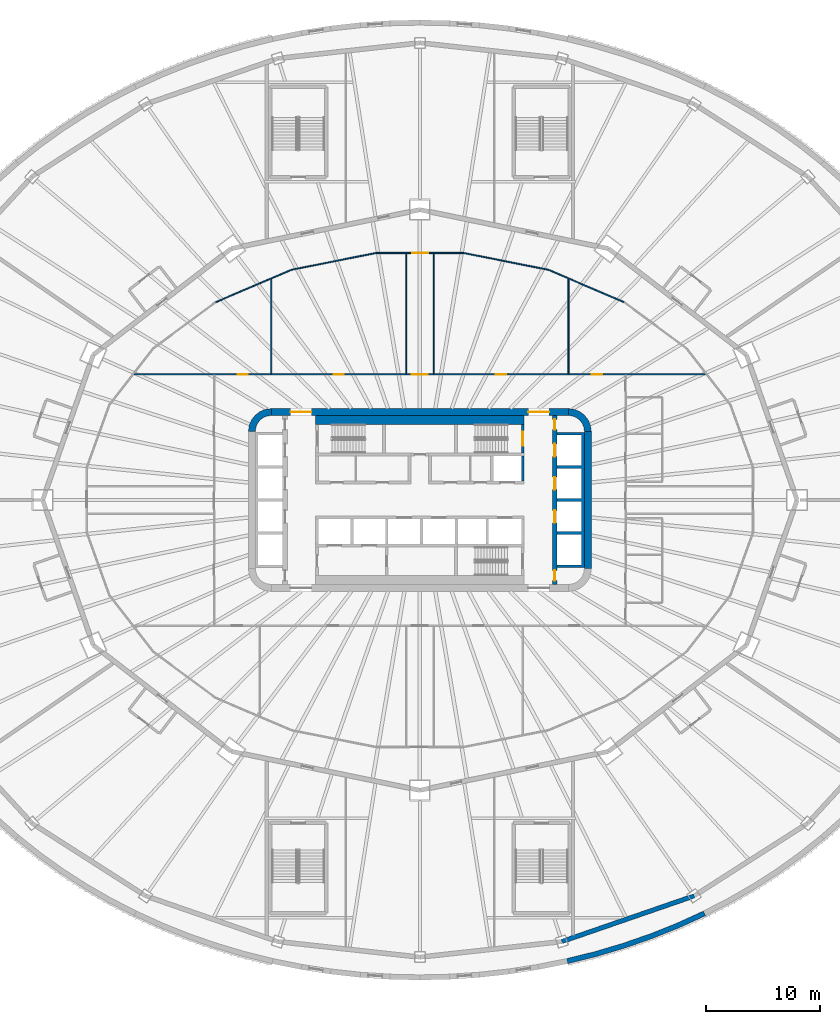
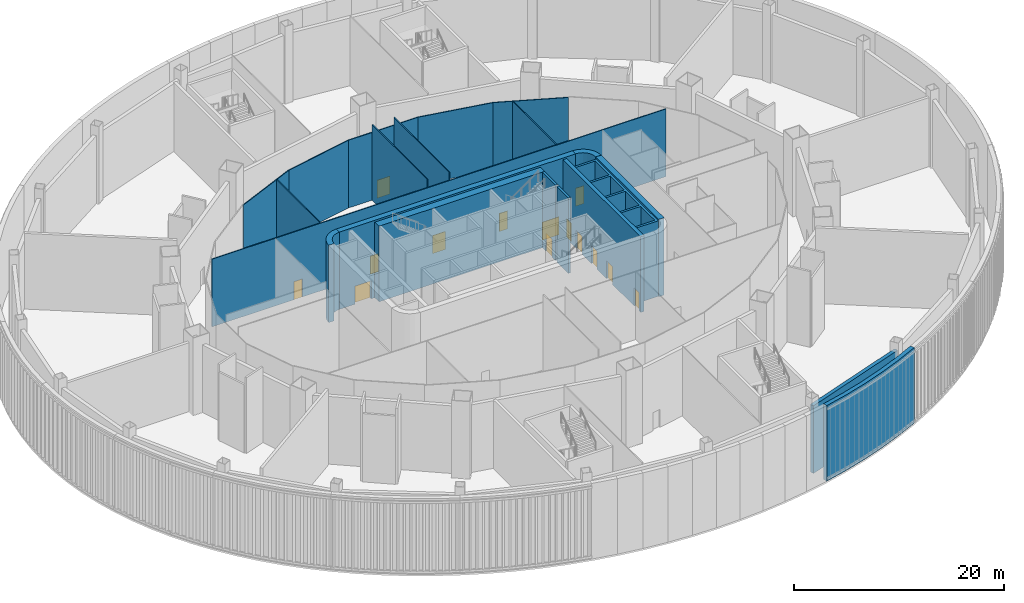
# One storey, part 10 of 35: 21 walls, 14 doors, 14 openings.
"""IFC4 building model written with IfcOpenShell, lengths in metres."""

from ifc_helpers import new_model, si_unit, direction, frame, frame_2d, origin, place, context, subcontext, project, spatial, polyline, rectangle, outline, extrude, material, layer, layer_set, type_object, element, fill, save


model = new_model("IFC4")

# Units and contexts
model_context = context("Model", 3, precision=1e-05, world=origin(), true_north=direction((0.0, 1.0)))
body_context = subcontext(model_context, "Body", "Model", "MODEL_VIEW")
ifc_project = project(units=[si_unit("LENGTHUNIT", "METRE"), si_unit("AREAUNIT", "SQUARE_METRE"), si_unit("VOLUMEUNIT", "CUBIC_METRE"), si_unit("PLANEANGLEUNIT", "RADIAN"), si_unit("MASSUNIT", "GRAM", prefix="KILO")], contexts=[model_context])

# Site, building, storey
site_placement = place(None, origin())
site = spatial("IfcSite", under=ifc_project, at=site_placement, CompositionType="ELEMENT")
building_placement = place(site_placement, origin())
building = spatial("IfcBuilding", under=site, at=building_placement, Name="Sahrelin Media Tower", CompositionType="ELEMENT")
storey_placement = place(building_placement, frame((0.0, 0.0, 8.0)))
storey = spatial("IfcBuildingStorey", under=building, at=storey_placement, Name="L01", CompositionType="ELEMENT", Elevation=8.0)

# Wall, openings, doors
ifc_material_1 = material(Name="Concrete C60/75", Category="concrete")
ifc_layer_1 = layer(ifc_material_1, 0.60009765625)
ifc_layer_set_1 = layer_set([ifc_layer_1], Name="Core wall 600")
wall_type_1 = type_object("IfcWallType", Name="Core wall 600", PredefinedType="SHEAR", material=ifc_layer_set_1)
wall_1_placement = place(storey_placement, frame((-13.0, 7.699951171875, 0.0), z_axis=(0.0, 0.0, 1.0), x_axis=(1.0, 0.0, 0.0)))
wall_1 = element("IfcWall", 1, at=wall_1_placement, inside=storey, type_object=wall_type_1, Name="Core wall N L01", PredefinedType="SHEAR", context=body_context, shape_type="SweptSolid", body=[
    extrude(rectangle(XDim=26.0, YDim=0.60009765625, at=frame_2d((13.0, 0.0))), origin(), (0.0, 0.0, 1.0), 9.0),
])
opening_1_placement = place(wall_1_placement, frame((1.699951171875, 0.0, 0.0)))
opening_1 = element("IfcOpeningElement", 2, at=opening_1_placement, cuts=wall_1, Name="Opening L01-D15", PredefinedType="OPENING", context=body_context, shape_type="SweptSolid", body=[
    extrude(rectangle(XDim=1.800048828125, YDim=2.10009765625, at=frame_2d((0.89990234375, 1.050048828125))), frame((0.0, 0.300048828125, 0.0), z_axis=(0.0, -1.0, 0.0), x_axis=(1.0, 0.0, 0.0)), (0.0, 0.0, 1.0), 0.60009765625),
])
opening_2_placement = place(wall_1_placement, frame((22.5, 0.0, 0.0)))
opening_2 = element("IfcOpeningElement", 3, at=opening_2_placement, cuts=wall_1, Name="Opening L01-D16", PredefinedType="OPENING", context=body_context, shape_type="SweptSolid", body=[
    extrude(rectangle(XDim=1.800048828125, YDim=2.10009765625, at=frame_2d((0.89990234375, 1.050048828125))), frame((0.0, 0.300048828125, 0.0), z_axis=(0.0, -1.0, 0.0), x_axis=(1.0, 0.0, 0.0)), (0.0, 0.0, 1.0), 0.60009765625),
])
ifc_material_2 = material(Name="Steel fire door leaf", Category="steel")
door_type_1 = type_object("IfcDoorType", Name="Lobby double door 1800 x 2100 EI 60", OperationType="DOUBLE_DOOR_SINGLE_SWING", PredefinedType="DOOR", material=ifc_material_2)
door_1_placement = place(opening_1_placement, origin())
door_1 = element("IfcDoor", 4, at=door_1_placement, inside=storey, type_object=door_type_1, Name="Lobby door", OperationType="DOUBLE_DOOR_SINGLE_SWING", OverallHeight=2.10009765625, OverallWidth=1.800048828125, PredefinedType="DOOR", context=body_context, shape_type="SweptSolid", body=[
    extrude(rectangle(XDim=1.800048828125, YDim=2.10009765625, at=frame_2d((0.89990234375, 1.050048828125))), frame((0.0, 0.02490234375, 0.0), z_axis=(0.0, -1.0, 0.0), x_axis=(1.0, 0.0, 0.0)), (0.0, 0.0, 1.0), 0.050048828125),
])
fill(opening_1, door_1)
door_2_placement = place(opening_2_placement, origin())
door_2 = element("IfcDoor", 5, at=door_2_placement, inside=storey, type_object=door_type_1, Name="Lobby door", OperationType="DOUBLE_DOOR_SINGLE_SWING", OverallHeight=2.10009765625, OverallWidth=1.800048828125, PredefinedType="DOOR", context=body_context, shape_type="SweptSolid", body=[
    extrude(rectangle(XDim=1.800048828125, YDim=2.10009765625, at=frame_2d((0.89990234375, 1.050048828125))), frame((0.0, 0.02490234375, 0.0), z_axis=(0.0, -1.0, 0.0), x_axis=(1.0, 0.0, 0.0)), (0.0, 0.0, 1.0), 0.050048828125),
])
fill(opening_2, door_2)

# Walls
wall_2_placement = place(storey_placement, frame((14.699951171875, -6.0, 0.0), z_axis=(0.0, 0.0, 1.0), x_axis=(0.0, 1.0, 0.0)))
element("IfcWall", 6, at=wall_2_placement, inside=storey, type_object=wall_type_1, Name="Core wall E L01", PredefinedType="SHEAR", context=body_context, shape_type="SweptSolid", body=[
    extrude(rectangle(XDim=12.0, YDim=0.60009765625, at=frame_2d((6.0, 0.0))), origin(), (0.0, 0.0, 1.0), 9.0),
])
placement = place(storey_placement, origin())
element("IfcWall", 7, at=placement, inside=storey, type_object=wall_type_1, Name="Core wall corner NE L01", PredefinedType="SHEAR", context=body_context, shape_type="SweptSolid", body=[
    extrude(outline(polyline([(13.0, 8.0), (13.0, 7.394775390625), (13.361083984375, 7.347412109375), (13.697509765625, 7.2080078125), (13.986328125, 6.986328125), (14.2080078125, 6.697509765625), (14.347412109375, 6.361083984375), (14.394775390625, 6.0), (15.0, 6.0), (14.931884765625, 6.517578125), (14.732177734375, 7.0), (14.414306640625, 7.414306640625), (14.0, 7.732177734375), (13.517578125, 7.931884765625), (13.0, 8.0)])), origin(), (0.0, 0.0, 1.0), 9.0),
])
element("IfcWall", 8, at=placement, inside=storey, type_object=wall_type_1, Name="Core wall corner NW L01", PredefinedType="SHEAR", context=body_context, shape_type="SweptSolid", body=[
    extrude(outline(polyline([(-15.0, 6.0), (-14.394775390625, 6.0), (-14.347412109375, 6.361083984375), (-14.2080078125, 6.697509765625), (-13.986328125, 6.986328125), (-13.697509765625, 7.2080078125), (-13.361083984375, 7.347412109375), (-13.0, 7.394775390625), (-13.0, 8.0), (-13.517578125, 7.931884765625), (-14.0, 7.732177734375), (-14.414306640625, 7.414306640625), (-14.732177734375, 7.0), (-14.931884765625, 6.517578125), (-15.0, 6.0)])), origin(), (0.0, 0.0, 1.0), 9.0),
])
ifc_material_3 = material(Name="Fire-rated gypsum board partition")
ifc_layer_2 = layer(ifc_material_3, 0.25)
ifc_layer_set_2 = layer_set([ifc_layer_2], Name="Fire-rated lobby wall 250")
wall_type_2 = type_object("IfcWallType", Name="Fire-rated lobby wall 250", PredefinedType="PARTITIONING", material=ifc_layer_set_2)
wall_5_placement = place(storey_placement, frame((9.0, 1.64990234375, 0.0), z_axis=(0.0, 0.0, 1.0), x_axis=(0.0, 1.0, 0.0)))
element("IfcWall", 9, at=wall_5_placement, inside=storey, type_object=wall_type_2, Name="Core lobby wall", PredefinedType="PARTITIONING", context=body_context, shape_type="SweptSolid", body=[
    extrude(rectangle(XDim=2.2001953125, YDim=0.25, at=frame_2d((1.10009765625, 0.0))), origin(), (0.0, 0.0, 1.0), 8.800048828125),
])
ifc_layer_3 = layer(ifc_material_3, 0.39990234375)
ifc_layer_set_3 = layer_set([ifc_layer_3], Name="Fire-rated partition 400")
wall_type_3 = type_object("IfcWallType", Name="Fire-rated partition 400", PredefinedType="PARTITIONING", material=ifc_layer_set_3)
wall_6_placement = place(storey_placement, frame((12.42333984375, -38.636962890625, 0.0), z_axis=(0.0, 0.0, 1.0), x_axis=(0.94527485301, 0.326275117449, 0.0)))
element("IfcWall", 10, at=wall_6_placement, inside=storey, type_object=wall_type_3, Name="Wall", PredefinedType="PARTITIONING", context=body_context, shape_type="SweptSolid", body=[
    extrude(rectangle(XDim=12.246826171875, YDim=0.39990234375, at=frame_2d((6.12353515625, 0.0))), origin(), (0.0, 0.0, 1.0), 7.876953125),
])
ifc_layer_4 = layer(ifc_material_1, 0.25)
ifc_layer_set_4 = layer_set([ifc_layer_4], Name="Lift shaft wall 250")
wall_type_4 = type_object("IfcWallType", Name="Lift shaft wall 250", PredefinedType="SOLIDWALL", material=ifc_layer_set_4)
element("IfcWall", 11, at=placement, inside=storey, type_object=wall_type_4, Name="Lift shaft wall", PredefinedType="SOLIDWALL", context=body_context, shape_type="SweptSolid", body=[
    extrude(outline(polyline([(12.0, -5.675048828125), (12.0, -5.925048828125), (14.14990234375, -5.925048828125), (14.39990234375, -5.925048828125), (14.39990234375, -5.675048828125), (14.39990234375, -3.02490234375), (14.39990234375, -2.77490234375), (14.39990234375, -0.125), (14.39990234375, 0.125), (14.39990234375, 2.77490234375), (14.39990234375, 3.02490234375), (14.39990234375, 5.675048828125), (14.39990234375, 5.925048828125), (14.14990234375, 5.925048828125), (12.0, 5.925048828125), (12.0, 5.675048828125), (14.14990234375, 5.675048828125), (14.14990234375, 3.02490234375), (12.0, 3.02490234375), (12.0, 2.77490234375), (14.14990234375, 2.77490234375), (14.14990234375, 0.125), (12.0, 0.125), (12.0, -0.125), (14.14990234375, -0.125), (14.14990234375, -2.77490234375), (12.0, -2.77490234375), (12.0, -3.02490234375), (14.14990234375, -3.02490234375), (14.14990234375, -5.675048828125), (12.0, -5.675048828125)])), origin(), (0.0, 0.0, 1.0), 8.800048828125),
])

# Wall, openings, doors
ifc_layer_5 = layer(ifc_material_1, 0.39990234375)
ifc_layer_set_5 = layer_set([ifc_layer_5], Name="Lift shaft wall 400")
wall_type_5 = type_object("IfcWallType", Name="Lift shaft wall 400", PredefinedType="SOLIDWALL", material=ifc_layer_set_5)
wall_8_placement = place(storey_placement, frame((11.800048828125, -7.39990234375, 0.0), z_axis=(0.0, 0.0, 1.0), x_axis=(0.0, 1.0, 0.0)))
wall_8 = element("IfcWall", 12, at=wall_8_placement, inside=storey, type_object=wall_type_5, Name="Lift shaft wall", PredefinedType="SOLIDWALL", context=body_context, shape_type="SweptSolid", body=[
    extrude(rectangle(XDim=14.7998046875, YDim=0.39990234375, at=frame_2d((7.39990234375, 0.0))), origin(), (0.0, 0.0, 1.0), 8.800048828125),
])
opening_3_placement = place(wall_8_placement, frame((11.199951171875, 0.0, 0.0)))
opening_3 = element("IfcOpeningElement", 13, at=opening_3_placement, cuts=wall_8, Name="Opening L01-LD-LR4", PredefinedType="OPENING", context=body_context, shape_type="SweptSolid", body=[
    extrude(rectangle(XDim=1.10009765625, YDim=2.10009765625, at=frame_2d((0.550048828125, 1.050048828125))), frame((0.0, 0.199951171875, 0.0), z_axis=(0.0, -1.0, 0.0), x_axis=(1.0, 0.0, 0.0)), (0.0, 0.0, 1.0), 0.39990234375),
])
opening_4_placement = place(wall_8_placement, frame((8.300048828125, 0.0, 0.0)))
opening_4 = element("IfcOpeningElement", 14, at=opening_4_placement, cuts=wall_8, Name="Opening L01-LD-LR5", PredefinedType="OPENING", context=body_context, shape_type="SweptSolid", body=[
    extrude(rectangle(XDim=1.10009765625, YDim=2.10009765625, at=frame_2d((0.550048828125, 1.050048828125))), frame((0.0, 0.199951171875, 0.0), z_axis=(0.0, -1.0, 0.0), x_axis=(1.0, 0.0, 0.0)), (0.0, 0.0, 1.0), 0.39990234375),
])
opening_5_placement = place(wall_8_placement, frame((5.39990234375, 0.0, 0.0)))
opening_5 = element("IfcOpeningElement", 15, at=opening_5_placement, cuts=wall_8, Name="Opening L01-LD-LR6", PredefinedType="OPENING", context=body_context, shape_type="SweptSolid", body=[
    extrude(rectangle(XDim=1.10009765625, YDim=2.10009765625, at=frame_2d((0.550048828125, 1.050048828125))), frame((0.0, 0.199951171875, 0.0), z_axis=(0.0, -1.0, 0.0), x_axis=(1.0, 0.0, 0.0)), (0.0, 0.0, 1.0), 0.39990234375),
])
opening_6_placement = place(wall_8_placement, frame((13.552490234375, 0.0, 0.0)))
opening_6 = element("IfcOpeningElement", 16, at=opening_6_placement, cuts=wall_8, Name="Opening L01-D13", PredefinedType="OPENING", context=body_context, shape_type="SweptSolid", body=[
    extrude(rectangle(XDim=0.89990234375, YDim=2.10009765625, at=frame_2d((0.449951171875, 1.050048828125))), frame((0.0, 0.199951171875, 0.0), z_axis=(0.0, -1.0, 0.0), x_axis=(1.0, 0.0, 0.0)), (0.0, 0.0, 1.0), 0.39990234375),
])
opening_7_placement = place(wall_8_placement, frame((0.347412109375, 0.0, 0.0)))
opening_7 = element("IfcOpeningElement", 17, at=opening_7_placement, cuts=wall_8, Name="Opening L01-D14", PredefinedType="OPENING", context=body_context, shape_type="SweptSolid", body=[
    extrude(rectangle(XDim=0.89990234375, YDim=2.10009765625, at=frame_2d((0.449951171875, 1.050048828125))), frame((0.0, 0.199951171875, 0.0), z_axis=(0.0, -1.0, 0.0), x_axis=(1.0, 0.0, 0.0)), (0.0, 0.0, 1.0), 0.39990234375),
])
ifc_material_4 = material(Name="Stainless steel", Category="steel")
door_type_2 = type_object("IfcDoorType", Name="Lift landing door 1100 x 2100 EI 120", OperationType="DOUBLE_DOOR_SLIDING", PredefinedType="DOOR", material=ifc_material_4)
door_3_placement = place(opening_3_placement, origin())
door_3 = element("IfcDoor", 18, at=door_3_placement, inside=storey, type_object=door_type_2, Name="Lift landing door LR4", OperationType="DOUBLE_DOOR_SLIDING", OverallHeight=2.10009765625, OverallWidth=1.10009765625, PredefinedType="DOOR", context=body_context, shape_type="SweptSolid", body=[
    extrude(rectangle(XDim=1.10009765625, YDim=2.10009765625, at=frame_2d((0.550048828125, 1.050048828125))), frame((0.0, 0.02490234375, 0.0), z_axis=(0.0, -1.0, 0.0), x_axis=(1.0, 0.0, 0.0)), (0.0, 0.0, 1.0), 0.050048828125),
])
fill(opening_3, door_3)
door_4_placement = place(opening_4_placement, origin())
door_4 = element("IfcDoor", 19, at=door_4_placement, inside=storey, type_object=door_type_2, Name="Lift landing door LR5", OperationType="DOUBLE_DOOR_SLIDING", OverallHeight=2.10009765625, OverallWidth=1.10009765625, PredefinedType="DOOR", context=body_context, shape_type="SweptSolid", body=[
    extrude(rectangle(XDim=1.10009765625, YDim=2.10009765625, at=frame_2d((0.550048828125, 1.050048828125))), frame((0.0, 0.02490234375, 0.0), z_axis=(0.0, -1.0, 0.0), x_axis=(1.0, 0.0, 0.0)), (0.0, 0.0, 1.0), 0.050048828125),
])
fill(opening_4, door_4)
door_5_placement = place(opening_5_placement, origin())
door_5 = element("IfcDoor", 20, at=door_5_placement, inside=storey, type_object=door_type_2, Name="Lift landing door LR6", OperationType="DOUBLE_DOOR_SLIDING", OverallHeight=2.10009765625, OverallWidth=1.10009765625, PredefinedType="DOOR", context=body_context, shape_type="SweptSolid", body=[
    extrude(rectangle(XDim=1.10009765625, YDim=2.10009765625, at=frame_2d((0.550048828125, 1.050048828125))), frame((0.0, 0.02490234375, 0.0), z_axis=(0.0, -1.0, 0.0), x_axis=(1.0, 0.0, 0.0)), (0.0, 0.0, 1.0), 0.050048828125),
])
fill(opening_5, door_5)
door_type_3 = type_object("IfcDoorType", Name="Riser door 900 x 2100 EI 120", OperationType="NOTDEFINED", PredefinedType="DOOR", material=ifc_material_2)
door_6_placement = place(opening_6_placement, origin())
door_6 = element("IfcDoor", 21, at=door_6_placement, inside=storey, type_object=door_type_3, Name="Riser door", OperationType="SINGLE_SWING_RIGHT", OverallHeight=2.10009765625, OverallWidth=0.89990234375, PredefinedType="DOOR", context=body_context, shape_type="SweptSolid", body=[
    extrude(rectangle(XDim=0.89990234375, YDim=2.10009765625, at=frame_2d((0.449951171875, 1.050048828125))), frame((0.0, 0.02490234375, 0.0), z_axis=(0.0, -1.0, 0.0), x_axis=(1.0, 0.0, 0.0)), (0.0, 0.0, 1.0), 0.050048828125),
])
fill(opening_6, door_6)
door_7_placement = place(opening_7_placement, origin())
door_7 = element("IfcDoor", 22, at=door_7_placement, inside=storey, type_object=door_type_3, Name="Riser door", OperationType="SINGLE_SWING_RIGHT", OverallHeight=2.10009765625, OverallWidth=0.89990234375, PredefinedType="DOOR", context=body_context, shape_type="SweptSolid", body=[
    extrude(rectangle(XDim=0.89990234375, YDim=2.10009765625, at=frame_2d((0.449951171875, 1.050048828125))), frame((0.0, 0.02490234375, 0.0), z_axis=(0.0, -1.0, 0.0), x_axis=(1.0, 0.0, 0.0)), (0.0, 0.0, 1.0), 0.050048828125),
])
fill(opening_7, door_7)

# Walls
ifc_material_5 = material(Name="Gypsum board partition")
ifc_layer_6 = layer(ifc_material_5, 0.10009765625)
ifc_layer_set_6 = layer_set([ifc_layer_6], Name="Partition 100")
wall_type_6 = type_object("IfcWallType", Name="Partition 100", PredefinedType="PARTITIONING", material=ifc_layer_set_6)
wall_9_placement = place(storey_placement, frame((17.897705078125, 17.295166015625, 0.0), z_axis=(0.0, 0.0, 1.0), x_axis=(-0.919302147288, 0.3935524895, 0.0)))
element("IfcWall", 23, at=wall_9_placement, inside=storey, type_object=wall_type_6, Name="Wall", PredefinedType="PARTITIONING", context=body_context, shape_type="SweptSolid", body=[
    extrude(rectangle(XDim=7.230224609375, YDim=0.10009765625, at=frame_2d((3.615234375, 0.0))), origin(), (0.0, 0.0, 1.0), 7.876953125),
])
wall_10_placement = place(storey_placement, frame((11.2509765625, 20.140625, 0.0), z_axis=(0.0, 0.0, 1.0), x_axis=(-0.980829586671, 0.194867447026, 0.0)))
element("IfcWall", 24, at=wall_10_placement, inside=storey, type_object=wall_type_6, Name="Wall", PredefinedType="PARTITIONING", context=body_context, shape_type="SweptSolid", body=[
    extrude(rectangle(XDim=7.55859375, YDim=0.10009765625, at=frame_2d((3.779296875, 0.0))), origin(), (0.0, 0.0, 1.0), 7.876953125),
])

# Wall, opening, door
wall_11_placement = place(storey_placement, frame((3.83740234375, 21.613525390625, 0.0), z_axis=(0.0, 0.0, 1.0), x_axis=(-1.0, 0.0, 0.0)))
wall_11 = element("IfcWall", 25, at=wall_11_placement, inside=storey, type_object=wall_type_6, Name="Wall", PredefinedType="PARTITIONING", context=body_context, shape_type="SweptSolid", body=[
    extrude(rectangle(XDim=7.6748046875, YDim=0.10009765625, at=frame_2d((3.83740234375, 0.0))), origin(), (0.0, 0.0, 1.0), 7.876953125),
])
opening_8_placement = place(wall_11_placement, frame((3.10009765625, 0.0, 0.0)))
opening_8 = element("IfcOpeningElement", 26, at=opening_8_placement, cuts=wall_11, Name="Opening L01-D36", PredefinedType="OPENING", context=body_context, shape_type="SweptSolid", body=[
    extrude(rectangle(XDim=1.39990234375, YDim=2.10009765625, at=frame_2d((0.699951171875, 1.050048828125))), frame((0.0, 0.050048828125, 0.0), z_axis=(0.0, -1.0, 0.0), x_axis=(1.0, 0.0, 0.0)), (0.0, 0.0, 1.0), 0.10009765625),
])
ifc_material_6 = material(Name="Timber door leaf", Category="wood")
door_type_4 = type_object("IfcDoorType", Name="Single door 1400 x 2100", OperationType="NOTDEFINED", PredefinedType="DOOR", material=ifc_material_6)
door_8_placement = place(opening_8_placement, origin())
door_8 = element("IfcDoor", 27, at=door_8_placement, inside=storey, type_object=door_type_4, Name="Single door", OperationType="SINGLE_SWING_LEFT", OverallHeight=2.10009765625, OverallWidth=1.39990234375, PredefinedType="DOOR", context=body_context, shape_type="SweptSolid", body=[
    extrude(rectangle(XDim=1.39990234375, YDim=2.10009765625, at=frame_2d((0.699951171875, 1.050048828125))), frame((0.0, 0.02490234375, 0.0), z_axis=(0.0, -1.0, 0.0), x_axis=(1.0, 0.0, 0.0)), (0.0, 0.0, 1.0), 0.050048828125),
])
fill(opening_8, door_8)

# Walls
wall_12_placement = place(storey_placement, frame((-3.83740234375, 21.613525390625, 0.0), z_axis=(0.0, 0.0, 1.0), x_axis=(-0.980829586671, -0.194867447026, 0.0)))
element("IfcWall", 28, at=wall_12_placement, inside=storey, type_object=wall_type_6, Name="Wall", PredefinedType="PARTITIONING", context=body_context, shape_type="SweptSolid", body=[
    extrude(rectangle(XDim=7.55859375, YDim=0.10009765625, at=frame_2d((3.779296875, 0.0))), origin(), (0.0, 0.0, 1.0), 7.876953125),
])
wall_13_placement = place(storey_placement, frame((-11.2509765625, 20.140625, 0.0), z_axis=(0.0, 0.0, 1.0), x_axis=(-0.919302147288, -0.3935524895, 0.0)))
element("IfcWall", 29, at=wall_13_placement, inside=storey, type_object=wall_type_6, Name="Wall", PredefinedType="PARTITIONING", context=body_context, shape_type="SweptSolid", body=[
    extrude(rectangle(XDim=7.230224609375, YDim=0.10009765625, at=frame_2d((3.615234375, 0.0))), origin(), (0.0, 0.0, 1.0), 7.876953125),
])

# Wall, openings, doors
wall_14_placement = place(storey_placement, frame((-24.990478515625, 11.0, 0.0), z_axis=(0.0, 0.0, 1.0), x_axis=(1.0, 0.0, 0.0)))
wall_14 = element("IfcWall", 30, at=wall_14_placement, inside=storey, type_object=wall_type_6, Name="Wall", PredefinedType="PARTITIONING", context=body_context, shape_type="SweptSolid", body=[
    extrude(rectangle(XDim=49.98095703125, YDim=0.10009765625, at=frame_2d((24.990478515625, 0.0))), origin(), (0.0, 0.0, 1.0), 7.876953125),
])
opening_9_placement = place(wall_14_placement, frame((9.050048828125, 0.0, 0.0)))
opening_9 = element("IfcOpeningElement", 31, at=opening_9_placement, cuts=wall_14, Name="Opening L01-D33", PredefinedType="OPENING", context=body_context, shape_type="SweptSolid", body=[
    extrude(rectangle(XDim=0.89990234375, YDim=2.10009765625, at=frame_2d((0.449951171875, 1.050048828125))), frame((0.0, 0.050048828125, 0.0), z_axis=(0.0, -1.0, 0.0), x_axis=(1.0, 0.0, 0.0)), (0.0, 0.0, 1.0), 0.10009765625),
])
opening_10_placement = place(wall_14_placement, frame((17.449951171875, 0.0, 0.0)))
opening_10 = element("IfcOpeningElement", 32, at=opening_10_placement, cuts=wall_14, Name="Opening L01-D34", PredefinedType="OPENING", context=body_context, shape_type="SweptSolid", body=[
    extrude(rectangle(XDim=0.89990234375, YDim=2.10009765625, at=frame_2d((0.449951171875, 1.050048828125))), frame((0.0, 0.050048828125, 0.0), z_axis=(0.0, -1.0, 0.0), x_axis=(1.0, 0.0, 0.0)), (0.0, 0.0, 1.0), 0.10009765625),
])
opening_11_placement = place(wall_14_placement, frame((24.300048828125, 0.0, 0.0)))
opening_11 = element("IfcOpeningElement", 33, at=opening_11_placement, cuts=wall_14, Name="Opening L01-D35", PredefinedType="OPENING", context=body_context, shape_type="SweptSolid", body=[
    extrude(rectangle(XDim=1.39990234375, YDim=2.10009765625, at=frame_2d((0.699951171875, 1.050048828125))), frame((0.0, 0.050048828125, 0.0), z_axis=(0.0, -1.0, 0.0), x_axis=(1.0, 0.0, 0.0)), (0.0, 0.0, 1.0), 0.10009765625),
])
opening_12_placement = place(wall_14_placement, frame((31.64990234375, 0.0, 0.0)))
opening_12 = element("IfcOpeningElement", 34, at=opening_12_placement, cuts=wall_14, Name="Opening L01-D37", PredefinedType="OPENING", context=body_context, shape_type="SweptSolid", body=[
    extrude(rectangle(XDim=0.89990234375, YDim=2.10009765625, at=frame_2d((0.449951171875, 1.050048828125))), frame((0.0, 0.050048828125, 0.0), z_axis=(0.0, -1.0, 0.0), x_axis=(1.0, 0.0, 0.0)), (0.0, 0.0, 1.0), 0.10009765625),
])
opening_13_placement = place(wall_14_placement, frame((40.050048828125, 0.0, 0.0)))
opening_13 = element("IfcOpeningElement", 35, at=opening_13_placement, cuts=wall_14, Name="Opening L01-D38", PredefinedType="OPENING", context=body_context, shape_type="SweptSolid", body=[
    extrude(rectangle(XDim=0.89990234375, YDim=2.10009765625, at=frame_2d((0.449951171875, 1.050048828125))), frame((0.0, 0.050048828125, 0.0), z_axis=(0.0, -1.0, 0.0), x_axis=(1.0, 0.0, 0.0)), (0.0, 0.0, 1.0), 0.10009765625),
])
door_9_placement = place(opening_11_placement, origin())
door_9 = element("IfcDoor", 36, at=door_9_placement, inside=storey, type_object=door_type_4, Name="Single door", OperationType="SINGLE_SWING_RIGHT", OverallHeight=2.10009765625, OverallWidth=1.39990234375, PredefinedType="DOOR", context=body_context, shape_type="SweptSolid", body=[
    extrude(rectangle(XDim=1.39990234375, YDim=2.10009765625, at=frame_2d((0.699951171875, 1.050048828125))), frame((0.0, 0.02490234375, 0.0), z_axis=(0.0, -1.0, 0.0), x_axis=(1.0, 0.0, 0.0)), (0.0, 0.0, 1.0), 0.050048828125),
])
fill(opening_11, door_9)
door_type_5 = type_object("IfcDoorType", Name="Single door 900 x 2100", OperationType="NOTDEFINED", PredefinedType="DOOR", material=ifc_material_6)
door_10_placement = place(opening_9_placement, origin())
door_10 = element("IfcDoor", 37, at=door_10_placement, inside=storey, type_object=door_type_5, Name="Single door", OperationType="SINGLE_SWING_LEFT", OverallHeight=2.10009765625, OverallWidth=0.89990234375, PredefinedType="DOOR", context=body_context, shape_type="SweptSolid", body=[
    extrude(rectangle(XDim=0.89990234375, YDim=2.10009765625, at=frame_2d((0.449951171875, 1.050048828125))), frame((0.0, 0.02490234375, 0.0), z_axis=(0.0, -1.0, 0.0), x_axis=(1.0, 0.0, 0.0)), (0.0, 0.0, 1.0), 0.050048828125),
])
fill(opening_9, door_10)
door_11_placement = place(opening_10_placement, origin())
door_11 = element("IfcDoor", 38, at=door_11_placement, inside=storey, type_object=door_type_5, Name="Single door", OperationType="SINGLE_SWING_LEFT", OverallHeight=2.10009765625, OverallWidth=0.89990234375, PredefinedType="DOOR", context=body_context, shape_type="SweptSolid", body=[
    extrude(rectangle(XDim=0.89990234375, YDim=2.10009765625, at=frame_2d((0.449951171875, 1.050048828125))), frame((0.0, 0.02490234375, 0.0), z_axis=(0.0, -1.0, 0.0), x_axis=(1.0, 0.0, 0.0)), (0.0, 0.0, 1.0), 0.050048828125),
])
fill(opening_10, door_11)
door_12_placement = place(opening_12_placement, origin())
door_12 = element("IfcDoor", 39, at=door_12_placement, inside=storey, type_object=door_type_5, Name="Single door", OperationType="SINGLE_SWING_RIGHT", OverallHeight=2.10009765625, OverallWidth=0.89990234375, PredefinedType="DOOR", context=body_context, shape_type="SweptSolid", body=[
    extrude(rectangle(XDim=0.89990234375, YDim=2.10009765625, at=frame_2d((0.449951171875, 1.050048828125))), frame((0.0, 0.02490234375, 0.0), z_axis=(0.0, -1.0, 0.0), x_axis=(1.0, 0.0, 0.0)), (0.0, 0.0, 1.0), 0.050048828125),
])
fill(opening_12, door_12)
door_13_placement = place(opening_13_placement, origin())
door_13 = element("IfcDoor", 40, at=door_13_placement, inside=storey, type_object=door_type_5, Name="Single door", OperationType="SINGLE_SWING_RIGHT", OverallHeight=2.10009765625, OverallWidth=0.89990234375, PredefinedType="DOOR", context=body_context, shape_type="SweptSolid", body=[
    extrude(rectangle(XDim=0.89990234375, YDim=2.10009765625, at=frame_2d((0.449951171875, 1.050048828125))), frame((0.0, 0.02490234375, 0.0), z_axis=(0.0, -1.0, 0.0), x_axis=(1.0, 0.0, 0.0)), (0.0, 0.0, 1.0), 0.050048828125),
])
fill(opening_13, door_13)

# Walls
wall_15_placement = place(storey_placement, frame((-13.0, 11.050048828125, 0.0), z_axis=(0.0, 0.0, 1.0), x_axis=(0.0, 1.0, 0.0)))
element("IfcWall", 41, at=wall_15_placement, inside=storey, type_object=wall_type_6, Name="Wall", PredefinedType="PARTITIONING", context=body_context, shape_type="SweptSolid", body=[
    extrude(rectangle(XDim=8.265869140625, YDim=0.10009765625, at=frame_2d((4.1328125, 0.0))), origin(), (0.0, 0.0, 1.0), 7.876953125),
])
for number, where, z_axis, x_axis, name in (
    (42, (-1.199951171875, 11.050048828125, 0.0), (0.0, 0.0, 1.0), (0.0, 1.0, 0.0), "Wall"),
    (43, (1.199951171875, 11.050048828125, 0.0), (0.0, 0.0, 1.0), (0.0, 1.0, 0.0), "Wall"),
):
    element("IfcWall", number, at=place(storey_placement, frame(where, z_axis=z_axis, x_axis=x_axis)), inside=storey, type_object=wall_type_6, Name=name, PredefinedType="PARTITIONING", context=body_context, shape_type="SweptSolid", body=[
        extrude(rectangle(XDim=10.513427734375, YDim=0.10009765625, at=frame_2d((5.2568359375, 0.0))), origin(), (0.0, 0.0, 1.0), 8.800048828125),
    ])
wall_16_placement = place(storey_placement, frame((13.0, 11.050048828125, 0.0), z_axis=(0.0, 0.0, 1.0), x_axis=(0.0, 1.0, 0.0)))
element("IfcWall", 44, at=wall_16_placement, inside=storey, type_object=wall_type_6, Name="Wall", PredefinedType="PARTITIONING", context=body_context, shape_type="SweptSolid", body=[
    extrude(rectangle(XDim=8.265869140625, YDim=0.10009765625, at=frame_2d((4.1328125, 0.0))), origin(), (0.0, 0.0, 1.0), 7.876953125),
])

# Wall, opening, door
ifc_layer_7 = layer(ifc_material_1, 0.25)
ifc_layer_set_7 = layer_set([ifc_layer_7], Name="Stair enclosure wall 250")
wall_type_7 = type_object("IfcWallType", Name="Stair enclosure wall 250", PredefinedType="SOLIDWALL", material=ifc_layer_set_7)
wall_17_placement = place(storey_placement, frame((9.0, 4.10009765625, 0.0), z_axis=(0.0, 0.0, 1.0), x_axis=(0.0, 1.0, 0.0)))
wall_17 = element("IfcWall", 45, at=wall_17_placement, inside=storey, type_object=wall_type_7, Name="Stair enclosure wall", PredefinedType="SOLIDWALL", context=body_context, shape_type="SweptSolid", body=[
    extrude(rectangle(XDim=2.5, YDim=0.25, at=frame_2d((1.25, 0.0))), origin(), (0.0, 0.0, 1.0), 8.800048828125),
])
opening_14_placement = place(wall_17_placement, frame((0.64990234375, 0.0, 0.0)))
opening_14 = element("IfcOpeningElement", 46, at=opening_14_placement, cuts=wall_17, Name="Opening L01-D02", PredefinedType="OPENING", context=body_context, shape_type="SweptSolid", body=[
    extrude(rectangle(XDim=1.199951171875, YDim=2.10009765625, at=frame_2d((0.60009765625, 1.050048828125))), frame((0.0, 0.125, 0.0), z_axis=(0.0, -1.0, 0.0), x_axis=(1.0, 0.0, 0.0)), (0.0, 0.0, 1.0), 0.25),
])
door_type_6 = type_object("IfcDoorType", Name="Stair door 1200 x 2100 EI 120", OperationType="NOTDEFINED", PredefinedType="DOOR", material=ifc_material_2)
door_14_placement = place(opening_14_placement, origin())
door_14 = element("IfcDoor", 47, at=door_14_placement, inside=storey, type_object=door_type_6, Name="Stair door ST3", OperationType="SINGLE_SWING_LEFT", OverallHeight=2.10009765625, OverallWidth=1.199951171875, PredefinedType="DOOR", context=body_context, shape_type="SweptSolid", body=[
    extrude(rectangle(XDim=1.199951171875, YDim=2.10009765625, at=frame_2d((0.60009765625, 1.050048828125))), frame((0.0, 0.02490234375, 0.0), z_axis=(0.0, -1.0, 0.0), x_axis=(1.0, 0.0, 0.0)), (0.0, 0.0, 1.0), 0.050048828125),
])
fill(opening_14, door_14)

# Walls
ifc_layer_8 = layer(ifc_material_1, 0.800048828125)
ifc_layer_set_8 = layer_set([ifc_layer_8], Name="Stair enclosure wall 800")
wall_type_8 = type_object("IfcWallType", Name="Stair enclosure wall 800", PredefinedType="SOLIDWALL", material=ifc_layer_set_8)
wall_18_placement = place(storey_placement, frame((-9.125, 7.0, 0.0), z_axis=(0.0, 0.0, 1.0), x_axis=(1.0, 0.0, 0.0)))
element("IfcWall", 48, at=wall_18_placement, inside=storey, type_object=wall_type_8, Name="Stair enclosure wall", PredefinedType="SOLIDWALL", context=body_context, shape_type="SweptSolid", body=[
    extrude(rectangle(XDim=18.25, YDim=0.800048828125, at=frame_2d((9.125, 0.0))), origin(), (0.0, 0.0, 1.0), 8.800048828125),
])
ifc_material_7 = material(Name="Concrete C40/50", Category="concrete")
ifc_layer_9 = layer(ifc_material_7, 0.449951171875)
ifc_layer_set_9 = layer_set([ifc_layer_9], Name="Studio facade wall")
wall_type_9 = type_object("IfcWallType", Name="Studio facade wall", PredefinedType="SOLIDWALL", material=ifc_layer_set_9)
element("IfcWall", 49, at=placement, inside=storey, type_object=wall_type_9, Name="Studio facade wall L01-P19", PredefinedType="SOLIDWALL", context=body_context, shape_type="SweptSolid", body=[
    extrude(outline(polyline([(12.94091796875, -40.56884765625), (15.45068359375, -39.9443359375), (17.91845703125, -39.21044921875), (20.3369140625, -38.368896484375), (22.699462890625, -37.42236328125), (25.0, -36.373046875), (24.8037109375, -35.96826171875), (22.5224609375, -37.008544921875), (20.17919921875, -37.947509765625), (17.7802734375, -38.781982421875), (15.332275390625, -39.51025390625), (12.84228515625, -40.1298828125), (12.94091796875, -40.56884765625)])), origin(), (0.0, 0.0, 1.0), 8.800048828125),
])

save(model, "model.ifc")
